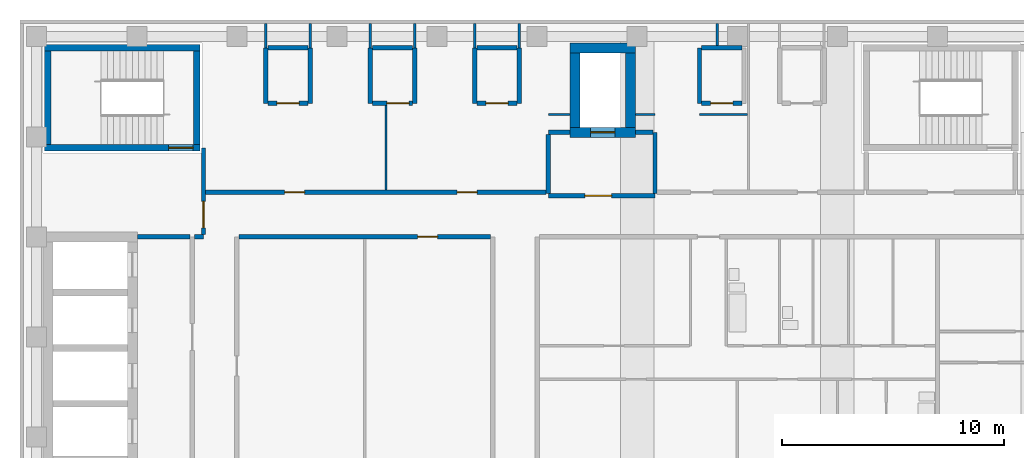
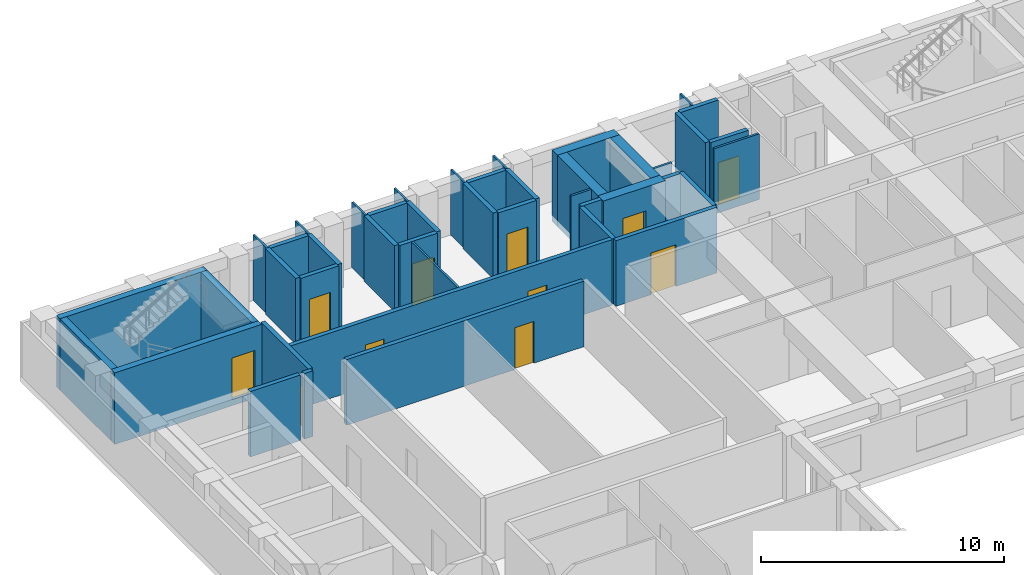
# One storey, part 5 of 11: 44 walls, 11 doors, 11 openings.
"""IFC4 building model written with IfcOpenShell, lengths in metres."""

from ifc_helpers import new_model, si_unit, direction, frame, frame_2d, origin, place, context, subcontext, project, spatial, rectangle, extrude, material, layer, layer_set, type_object, element, fill, save


model = new_model("IFC4")

# Units and contexts
model_context = context("Model", 3, precision=1e-05, world=origin(), true_north=direction((0.0, 1.0)))
body_context = subcontext(model_context, "Body", "Model", "MODEL_VIEW")
ifc_project = project(units=[si_unit("LENGTHUNIT", "METRE"), si_unit("AREAUNIT", "SQUARE_METRE"), si_unit("VOLUMEUNIT", "CUBIC_METRE"), si_unit("PLANEANGLEUNIT", "RADIAN"), si_unit("MASSUNIT", "GRAM", prefix="KILO")], contexts=[model_context])

# Site, building, storey
site_placement = place(None, origin())
site = spatial("IfcSite", under=ifc_project, at=site_placement, CompositionType="ELEMENT")
building_placement = place(site_placement, origin())
building = spatial("IfcBuilding", under=site, at=building_placement, Name="Firuza Court", CompositionType="ELEMENT")
storey_placement = place(building_placement, frame((0.0, 0.0, 179.0)))
storey = spatial("IfcBuildingStorey", under=building, at=storey_placement, Name="L45", CompositionType="ELEMENT", Elevation=179.0)

# Wall, opening, door
ifc_material_1 = material(Name="Concrete C50/60", Category="concrete")
ifc_layer_1 = layer(ifc_material_1, 0.300048828125)
ifc_layer_set_1 = layer_set([ifc_layer_1], Name="Concrete C50/60")
wall_type_1 = type_object("IfcWallType", Name="Core wall 300 C50/60", PredefinedType="SHEAR", material=ifc_layer_set_1)
wall_1_placement = place(storey_placement, frame((0.35009765625, 53.5, -0.300048828125), z_axis=(0.0, 0.0, 1.0), x_axis=(1.0, 0.0, 0.0)))
wall_1 = element("IfcWall", 1, at=wall_1_placement, inside=storey, type_object=wall_type_1, Name="Core wall stair L45", PredefinedType="SHEAR", context=body_context, shape_type="SweptSolid", body=[
    extrude(rectangle(XDim=7.0, YDim=0.300048828125, at=frame_2d((3.5, 0.0))), origin(), (0.0, 0.0, 1.0), 3.60009765625),
])
opening_1_placement = place(wall_1_placement, frame((5.580078125, 0.0, 0.300048828125)))
opening_1 = element("IfcOpeningElement", 2, at=opening_1_placement, cuts=wall_1, Name="Opening D45015", PredefinedType="OPENING", context=body_context, shape_type="SweptSolid", body=[
    extrude(rectangle(XDim=1.10009765625, YDim=2.10009765625, at=frame_2d((0.550048828125, 1.050048828125))), frame((0.0, 0.162109375, 0.0), z_axis=(0.0, -1.0, 0.0), x_axis=(1.0, 0.0, 0.0)), (0.0, 0.0, 1.0), 0.323974609375),
])
ifc_material_2 = material(Name="Timber door leaf in hardwood frame", Category="wood")
door_type_1 = type_object("IfcDoorType", Name="Stair door 1100", OperationType="SINGLE_SWING_LEFT", PredefinedType="DOOR", material=ifc_material_2)
door_1_placement = place(opening_1_placement, origin())
door_1 = element("IfcDoor", 3, at=door_1_placement, inside=storey, type_object=door_type_1, Name="Stair door S3", OperationType="SINGLE_SWING_RIGHT", OverallHeight=2.10009765625, OverallWidth=1.10009765625, PredefinedType="DOOR", context=body_context, shape_type="SweptSolid", body=[
    extrude(rectangle(XDim=1.10009765625, YDim=2.10009765625, at=frame_2d((0.550048828125, 1.050048828125))), frame((0.0, 0.02490234375, 0.0), z_axis=(0.0, -1.0, 0.0), x_axis=(1.0, 0.0, 0.0)), (0.0, 0.0, 1.0), 0.050048828125),
])
fill(opening_1, door_1)

# Walls
wall_2_placement = place(storey_placement, frame((0.35009765625, 58.0, -0.300048828125), z_axis=(0.0, 0.0, 1.0), x_axis=(1.0, 0.0, 0.0)))
element("IfcWall", 4, at=wall_2_placement, inside=storey, type_object=wall_type_1, Name="Core wall stair L45", PredefinedType="SHEAR", context=body_context, shape_type="SweptSolid", body=[
    extrude(rectangle(XDim=7.0, YDim=0.300048828125, at=frame_2d((3.5, 0.0))), origin(), (0.0, 0.0, 1.0), 3.60009765625),
])
for number, where, z_axis, x_axis, name in (
    (5, (0.5, 53.64990234375, -0.300048828125), (0.0, 0.0, 1.0), (0.0, 1.0, 0.0), "Core wall stair L45"),
    (6, (7.199951171875, 53.64990234375, -0.300048828125), (0.0, 0.0, 1.0), (0.0, 1.0, 0.0), "Core wall stair L45"),
):
    element("IfcWall", number, at=place(storey_placement, frame(where, z_axis=z_axis, x_axis=x_axis)), inside=storey, type_object=wall_type_1, Name=name, PredefinedType="SHEAR", context=body_context, shape_type="SweptSolid", body=[
        extrude(rectangle(XDim=4.2001953125, YDim=0.300048828125, at=frame_2d((2.10009765625, 0.0))), origin(), (0.0, 0.0, 1.0), 3.60009765625),
    ])

# Wall, opening, door
ifc_layer_2 = layer(ifc_material_1, 0.449951171875)
ifc_layer_set_2 = layer_set([ifc_layer_2], Name="Concrete C50/60")
wall_type_2 = type_object("IfcWallType", Name="Core wall 450 C50/60", PredefinedType="SHEAR", material=ifc_layer_set_2)
wall_3_placement = place(storey_placement, frame((23.97509765625, 54.199951171875, -0.300048828125), z_axis=(0.0, 0.0, 1.0), x_axis=(1.0, 0.0, 0.0)))
wall_3 = element("IfcWall", 7, at=wall_3_placement, inside=storey, type_object=wall_type_2, Name="Core wall lift shaft L45", PredefinedType="SHEAR", context=body_context, shape_type="SweptSolid", body=[
    extrude(rectangle(XDim=2.949951171875, YDim=0.449951171875, at=frame_2d((1.47509765625, 0.0))), origin(), (0.0, 0.0, 1.0), 3.60009765625),
])
opening_2_placement = place(wall_3_placement, frame((0.925048828125, 0.0, 0.300048828125)))
opening_2 = element("IfcOpeningElement", 8, at=opening_2_placement, cuts=wall_3, Name="Opening LD-FL3-45", PredefinedType="OPENING", context=body_context, shape_type="SweptSolid", body=[
    extrude(rectangle(XDim=1.10009765625, YDim=2.10009765625, at=frame_2d((0.550048828125, 1.050048828125))), frame((0.0, 0.23681640625, 0.0), z_axis=(0.0, -1.0, 0.0), x_axis=(1.0, 0.0, 0.0)), (0.0, 0.0, 1.0), 0.473876953125),
])
ifc_material_3 = material(Name="Stainless steel 1.4301 door leaf", Category="steel")
door_type_2 = type_object("IfcDoorType", Name="Lift landing door 1100", OperationType="SLIDING_TO_LEFT", PredefinedType="DOOR", material=ifc_material_3)
door_2_placement = place(opening_2_placement, origin())
door_2 = element("IfcDoor", 9, at=door_2_placement, inside=storey, type_object=door_type_2, Name="Landing door FL3", OperationType="SLIDING_TO_LEFT", OverallHeight=2.10009765625, OverallWidth=1.10009765625, PredefinedType="DOOR", context=body_context, shape_type="SweptSolid", body=[
    extrude(rectangle(XDim=1.10009765625, YDim=2.10009765625, at=frame_2d((0.550048828125, 1.050048828125))), frame((0.0, 0.02490234375, 0.0), z_axis=(0.0, -1.0, 0.0), x_axis=(1.0, 0.0, 0.0)), (0.0, 0.0, 1.0), 0.050048828125),
])
fill(opening_2, door_2)

# Walls
wall_4_placement = place(storey_placement, frame((23.97509765625, 58.0, -0.300048828125), z_axis=(0.0, 0.0, 1.0), x_axis=(1.0, 0.0, 0.0)))
element("IfcWall", 10, at=wall_4_placement, inside=storey, type_object=wall_type_2, Name="Core wall lift shaft L45", PredefinedType="SHEAR", context=body_context, shape_type="SweptSolid", body=[
    extrude(rectangle(XDim=2.949951171875, YDim=0.449951171875, at=frame_2d((1.47509765625, 0.0))), origin(), (0.0, 0.0, 1.0), 3.60009765625),
])
for number, where, z_axis, x_axis, name in (
    (11, (24.199951171875, 54.425048828125, -0.300048828125), (0.0, 0.0, 1.0), (0.0, 1.0, 0.0), "Core wall lift shaft L45"),
    (12, (26.699951171875, 54.425048828125, -0.300048828125), (0.0, 0.0, 1.0), (0.0, 1.0, 0.0), "Core wall lift shaft L45"),
):
    element("IfcWall", number, at=place(storey_placement, frame(where, z_axis=z_axis, x_axis=x_axis)), inside=storey, type_object=wall_type_2, Name=name, PredefinedType="SHEAR", context=body_context, shape_type="SweptSolid", body=[
        extrude(rectangle(XDim=3.349853515625, YDim=0.449951171875, at=frame_2d((1.6748046875, 0.0))), origin(), (0.0, 0.0, 1.0), 3.60009765625),
    ])

# Wall, opening, door
ifc_material_4 = material(Name="Blockwork, plastered both sides", Category="masonry")
ifc_layer_3 = layer(ifc_material_4, 0.199951171875)
ifc_layer_set_3 = layer_set([ifc_layer_3], Name="Blockwork, plastered both sides")
wall_type_3 = type_object("IfcWallType", Name="Corridor wall 200", PredefinedType="PARTITIONING", material=ifc_layer_set_3)
wall_5_placement = place(storey_placement, frame((9.10009765625, 49.5, 0.0), z_axis=(0.0, 0.0, 1.0), x_axis=(1.0, 0.0, 0.0)))
wall_5 = element("IfcWall", 13, at=wall_5_placement, inside=storey, type_object=wall_type_3, Name="Corridor wall 200 L45", PredefinedType="PARTITIONING", context=body_context, shape_type="SweptSolid", body=[
    extrude(rectangle(XDim=11.2998046875, YDim=0.199951171875, at=frame_2d((5.64990234375, 0.0))), origin(), (0.0, 0.0, 1.0), 3.300048828125),
])
opening_3_placement = place(wall_5_placement, frame((8.02490234375, 0.0, 0.0)))
opening_3 = element("IfcOpeningElement", 14, at=opening_3_placement, cuts=wall_5, Name="Opening D45059", PredefinedType="OPENING", context=body_context, shape_type="SweptSolid", body=[
    extrude(rectangle(XDim=0.89990234375, YDim=2.10009765625, at=frame_2d((0.449951171875, 1.050048828125))), frame((0.0, 0.11181640625, 0.0), z_axis=(0.0, -1.0, 0.0), x_axis=(1.0, 0.0, 0.0)), (0.0, 0.0, 1.0), 0.223876953125),
])
ifc_material_5 = material(Name="Timber door leaf in hardwood frame", Category="wood")
door_type_3 = type_object("IfcDoorType", Name="Room door 900 EI 30", OperationType="SINGLE_SWING_LEFT", PredefinedType="DOOR", material=ifc_material_5)
door_3_placement = place(opening_3_placement, origin())
door_3 = element("IfcDoor", 15, at=door_3_placement, inside=storey, type_object=door_type_3, Name="Residents' club lounge door", OperationType="SINGLE_SWING_LEFT", OverallHeight=2.10009765625, OverallWidth=0.89990234375, PredefinedType="DOOR", context=body_context, shape_type="SweptSolid", body=[
    extrude(rectangle(XDim=0.89990234375, YDim=2.10009765625, at=frame_2d((0.449951171875, 1.050048828125))), frame((0.0, 0.02490234375, 0.0), z_axis=(0.0, -1.0, 0.0), x_axis=(1.0, 0.0, 0.0)), (0.0, 0.0, 1.0), 0.050048828125),
])
fill(opening_3, door_3)

# Wall, openings, doors
wall_6_placement = place(storey_placement, frame((7.60009765625, 51.5, 0.0), z_axis=(0.0, 0.0, 1.0), x_axis=(1.0, 0.0, 0.0)))
wall_6 = element("IfcWall", 16, at=wall_6_placement, inside=storey, type_object=wall_type_3, Name="Corridor wall 200 L45", PredefinedType="PARTITIONING", context=body_context, shape_type="SweptSolid", body=[
    extrude(rectangle(XDim=15.2998046875, YDim=0.199951171875, at=frame_2d((7.64990234375, 0.0))), origin(), (0.0, 0.0, 1.0), 3.300048828125),
])
opening_4_placement = place(wall_6_placement, frame((3.550048828125, 0.0, 0.0)))
opening_4 = element("IfcOpeningElement", 17, at=opening_4_placement, cuts=wall_6, Name="Opening D45063", PredefinedType="OPENING", context=body_context, shape_type="SweptSolid", body=[
    extrude(rectangle(XDim=0.89990234375, YDim=2.10009765625, at=frame_2d((0.449951171875, 1.050048828125))), frame((0.0, 0.11181640625, 0.0), z_axis=(0.0, -1.0, 0.0), x_axis=(1.0, 0.0, 0.0)), (0.0, 0.0, 1.0), 0.223876953125),
])
opening_5_placement = place(wall_6_placement, frame((11.300048828125, 0.0, 0.0)))
opening_5 = element("IfcOpeningElement", 18, at=opening_5_placement, cuts=wall_6, Name="Opening D45064", PredefinedType="OPENING", context=body_context, shape_type="SweptSolid", body=[
    extrude(rectangle(XDim=0.89990234375, YDim=2.10009765625, at=frame_2d((0.449951171875, 1.050048828125))), frame((0.0, 0.11181640625, 0.0), z_axis=(0.0, -1.0, 0.0), x_axis=(1.0, 0.0, 0.0)), (0.0, 0.0, 1.0), 0.223876953125),
])
door_4_placement = place(opening_4_placement, origin())
door_4 = element("IfcDoor", 19, at=door_4_placement, inside=storey, type_object=door_type_3, Name="Meeting room door", OperationType="SINGLE_SWING_LEFT", OverallHeight=2.10009765625, OverallWidth=0.89990234375, PredefinedType="DOOR", context=body_context, shape_type="SweptSolid", body=[
    extrude(rectangle(XDim=0.89990234375, YDim=2.10009765625, at=frame_2d((0.449951171875, 1.050048828125))), frame((0.0, 0.02490234375, 0.0), z_axis=(0.0, -1.0, 0.0), x_axis=(1.0, 0.0, 0.0)), (0.0, 0.0, 1.0), 0.050048828125),
])
fill(opening_4, door_4)
door_5_placement = place(opening_5_placement, origin())
door_5 = element("IfcDoor", 20, at=door_5_placement, inside=storey, type_object=door_type_3, Name="Meeting room door", OperationType="SINGLE_SWING_LEFT", OverallHeight=2.10009765625, OverallWidth=0.89990234375, PredefinedType="DOOR", context=body_context, shape_type="SweptSolid", body=[
    extrude(rectangle(XDim=0.89990234375, YDim=2.10009765625, at=frame_2d((0.449951171875, 1.050048828125))), frame((0.0, 0.02490234375, 0.0), z_axis=(0.0, -1.0, 0.0), x_axis=(1.0, 0.0, 0.0)), (0.0, 0.0, 1.0), 0.050048828125),
])
fill(opening_5, door_5)

# Walls
ifc_material_6 = material(Name="Timber stud partition, plasterboard both sides", Category="wood")
ifc_layer_4 = layer(ifc_material_6, 0.10009765625)
ifc_layer_set_4 = layer_set([ifc_layer_4], Name="Timber stud partition, plasterboard both sides")
wall_type_4 = type_object("IfcWallType", Name="Partition wall 100", PredefinedType="PARTITIONING", material=ifc_layer_set_4)
wall_7_placement = place(storey_placement, frame((15.699951171875, 51.60009765625, 0.0), z_axis=(0.0, 0.0, 1.0), x_axis=(0.0, 1.0, 0.0)))
element("IfcWall", 21, at=wall_7_placement, inside=storey, type_object=wall_type_4, Name="Partition wall 100 L45", PredefinedType="PARTITIONING", context=body_context, shape_type="SweptSolid", body=[
    extrude(rectangle(XDim=3.7998046875, YDim=0.10009765625, at=frame_2d((1.89990234375, 0.0))), origin(), (0.0, 0.0, 1.0), 3.300048828125),
])
wall_8_placement = place(storey_placement, frame((23.0, 55.0, 0.0), z_axis=(0.0, 0.0, 1.0), x_axis=(1.0, 0.0, 0.0)))
element("IfcWall", 22, at=wall_8_placement, inside=storey, type_object=wall_type_4, Name="Partition wall 100 L45", PredefinedType="PARTITIONING", context=body_context, shape_type="SweptSolid", body=[
    extrude(rectangle(XDim=0.97509765625, YDim=0.10009765625, at=frame_2d((0.487548828125, 0.0))), origin(), (0.0, 0.0, 1.0), 3.300048828125),
])
wall_9_placement = place(storey_placement, frame((26.925048828125, 55.0, 0.0), z_axis=(0.0, 0.0, 1.0), x_axis=(1.0, 0.0, 0.0)))
element("IfcWall", 23, at=wall_9_placement, inside=storey, type_object=wall_type_4, Name="Partition wall 100 L45", PredefinedType="PARTITIONING", context=body_context, shape_type="SweptSolid", body=[
    extrude(rectangle(XDim=0.875, YDim=0.10009765625, at=frame_2d((0.4375, 0.0))), origin(), (0.0, 0.0, 1.0), 3.300048828125),
])
wall_10_placement = place(storey_placement, frame((29.800048828125, 55.0, 0.0), z_axis=(0.0, 0.0, 1.0), x_axis=(1.0, 0.0, 0.0)))
element("IfcWall", 24, at=wall_10_placement, inside=storey, type_object=wall_type_4, Name="Partition wall 100 L45", PredefinedType="PARTITIONING", context=body_context, shape_type="SweptSolid", body=[
    extrude(rectangle(XDim=2.14990234375, YDim=0.10009765625, at=frame_2d((1.074951171875, 0.0))), origin(), (0.0, 0.0, 1.0), 3.300048828125),
])
for number, where, z_axis, x_axis, name in (
    (25, (10.300048828125, 58.0, 0.0), (0.0, 0.0, 1.0), (0.0, 1.0, 0.0), "Partition wall 100 L45"),
    (26, (12.300048828125, 58.0, 0.0), (0.0, 0.0, 1.0), (0.0, 1.0, 0.0), "Partition wall 100 L45"),
    (27, (15.0, 58.0, 0.0), (0.0, 0.0, 1.0), (0.0, 1.0, 0.0), "Partition wall 100 L45"),
    (28, (17.0, 58.0, 0.0), (0.0, 0.0, 1.0), (0.0, 1.0, 0.0), "Partition wall 100 L45"),
    (29, (19.699951171875, 58.0, 0.0), (0.0, 0.0, 1.0), (0.0, 1.0, 0.0), "Partition wall 100 L45"),
    (30, (21.699951171875, 58.0, 0.0), (0.0, 0.0, 1.0), (0.0, 1.0, 0.0), "Partition wall 100 L45"),
):
    element("IfcWall", number, at=place(storey_placement, frame(where, z_axis=z_axis, x_axis=x_axis)), inside=storey, type_object=wall_type_4, Name=name, PredefinedType="PARTITIONING", context=body_context, shape_type="SweptSolid", body=[
        extrude(rectangle(XDim=1.10009765625, YDim=0.10009765625, at=frame_2d((0.550048828125, 0.0))), origin(), (0.0, 0.0, 1.0), 3.300048828125),
    ])
wall_11_placement = place(storey_placement, frame((30.60009765625, 58.10009765625, 0.0), z_axis=(0.0, 0.0, 1.0), x_axis=(0.0, 1.0, 0.0)))
element("IfcWall", 31, at=wall_11_placement, inside=storey, type_object=wall_type_4, Name="Partition wall 100 L45", PredefinedType="PARTITIONING", context=body_context, shape_type="SweptSolid", body=[
    extrude(rectangle(XDim=1.0, YDim=0.10009765625, at=frame_2d((0.5, 0.0))), origin(), (0.0, 0.0, 1.0), 3.300048828125),
])
ifc_material_7 = material(Name="Blockwork, fire-rated", Category="masonry")
ifc_layer_5 = layer(ifc_material_7, 0.199951171875)
ifc_layer_set_5 = layer_set([ifc_layer_5], Name="Blockwork, fire-rated")
wall_type_5 = type_object("IfcWallType", Name="Plant room wall 200", PredefinedType="PARTITIONING", material=ifc_layer_set_5)
wall_12_placement = place(storey_placement, frame((10.300048828125, 55.5, 0.0), z_axis=(0.0, 0.0, 1.0), x_axis=(0.0, 1.0, 0.0)))
element("IfcWall", 32, at=wall_12_placement, inside=storey, type_object=wall_type_5, Name="Plant room wall 200 L45", PredefinedType="PARTITIONING", context=body_context, shape_type="SweptSolid", body=[
    extrude(rectangle(XDim=2.5, YDim=0.199951171875, at=frame_2d((1.25, 0.0))), origin(), (0.0, 0.0, 1.0), 3.300048828125),
])

# Wall, opening, door
wall_13_placement = place(storey_placement, frame((10.39990234375, 55.5, 0.0), z_axis=(0.0, 0.0, 1.0), x_axis=(1.0, 0.0, 0.0)))
wall_13 = element("IfcWall", 33, at=wall_13_placement, inside=storey, type_object=wall_type_5, Name="Plant room wall 200 L45", PredefinedType="PARTITIONING", context=body_context, shape_type="SweptSolid", body=[
    extrude(rectangle(XDim=1.800048828125, YDim=0.199951171875, at=frame_2d((0.89990234375, 0.0))), origin(), (0.0, 0.0, 1.0), 3.300048828125),
])
opening_6_placement = place(wall_13_placement, frame((0.39990234375, 0.0, 0.0)))
opening_6 = element("IfcOpeningElement", 34, at=opening_6_placement, cuts=wall_13, Name="Opening D45071", PredefinedType="OPENING", context=body_context, shape_type="SweptSolid", body=[
    extrude(rectangle(XDim=1.0, YDim=2.10009765625, at=frame_2d((0.5, 1.050048828125))), frame((0.0, 0.11181640625, 0.0), z_axis=(0.0, -1.0, 0.0), x_axis=(1.0, 0.0, 0.0)), (0.0, 0.0, 1.0), 0.223876953125),
])
ifc_material_8 = material(Name="Timber door leaf in hardwood frame", Category="wood")
door_type_4 = type_object("IfcDoorType", Name="Riser door 1000", OperationType="SINGLE_SWING_LEFT", PredefinedType="DOOR", material=ifc_material_8)
door_6_placement = place(opening_6_placement, origin())
door_6 = element("IfcDoor", 35, at=door_6_placement, inside=storey, type_object=door_type_4, Name="Comms riser door", OperationType="SINGLE_SWING_LEFT", OverallHeight=2.10009765625, OverallWidth=1.0, PredefinedType="DOOR", context=body_context, shape_type="SweptSolid", body=[
    extrude(rectangle(XDim=1.0, YDim=2.10009765625, at=frame_2d((0.5, 1.050048828125))), frame((0.0, 0.02490234375, 0.0), z_axis=(0.0, -1.0, 0.0), x_axis=(1.0, 0.0, 0.0)), (0.0, 0.0, 1.0), 0.050048828125),
])
fill(opening_6, door_6)

# Walls
for number, where, z_axis, x_axis, name in (
    (36, (12.300048828125, 55.5, 0.0), (0.0, 0.0, 1.0), (0.0, 1.0, 0.0), "Plant room wall 200 L45"),
    (37, (15.0, 55.5, 0.0), (0.0, 0.0, 1.0), (0.0, 1.0, 0.0), "Plant room wall 200 L45"),
):
    element("IfcWall", number, at=place(storey_placement, frame(where, z_axis=z_axis, x_axis=x_axis)), inside=storey, type_object=wall_type_5, Name=name, PredefinedType="PARTITIONING", context=body_context, shape_type="SweptSolid", body=[
        extrude(rectangle(XDim=2.5, YDim=0.199951171875, at=frame_2d((1.25, 0.0))), origin(), (0.0, 0.0, 1.0), 3.300048828125),
    ])

# Wall, opening, door
wall_14_placement = place(storey_placement, frame((15.10009765625, 55.5, 0.0), z_axis=(0.0, 0.0, 1.0), x_axis=(1.0, 0.0, 0.0)))
wall_14 = element("IfcWall", 38, at=wall_14_placement, inside=storey, type_object=wall_type_5, Name="Plant room wall 200 L45", PredefinedType="PARTITIONING", context=body_context, shape_type="SweptSolid", body=[
    extrude(rectangle(XDim=1.7998046875, YDim=0.199951171875, at=frame_2d((0.89990234375, 0.0))), origin(), (0.0, 0.0, 1.0), 3.300048828125),
])
opening_7_placement = place(wall_14_placement, frame((0.64990234375, 0.0, 0.0)))
opening_7 = element("IfcOpeningElement", 39, at=opening_7_placement, cuts=wall_14, Name="Opening D45072", PredefinedType="OPENING", context=body_context, shape_type="SweptSolid", body=[
    extrude(rectangle(XDim=1.0, YDim=2.10009765625, at=frame_2d((0.5, 1.050048828125))), frame((0.0, 0.11181640625, 0.0), z_axis=(0.0, -1.0, 0.0), x_axis=(1.0, 0.0, 0.0)), (0.0, 0.0, 1.0), 0.223876953125),
])
door_7_placement = place(opening_7_placement, origin())
door_7 = element("IfcDoor", 40, at=door_7_placement, inside=storey, type_object=door_type_4, Name="Electrical riser door", OperationType="SINGLE_SWING_RIGHT", OverallHeight=2.10009765625, OverallWidth=1.0, PredefinedType="DOOR", context=body_context, shape_type="SweptSolid", body=[
    extrude(rectangle(XDim=1.0, YDim=2.10009765625, at=frame_2d((0.5, 1.050048828125))), frame((0.0, 0.02490234375, 0.0), z_axis=(0.0, -1.0, 0.0), x_axis=(1.0, 0.0, 0.0)), (0.0, 0.0, 1.0), 0.050048828125),
])
fill(opening_7, door_7)

# Walls
for number, where, z_axis, x_axis, name in (
    (41, (17.0, 55.5, 0.0), (0.0, 0.0, 1.0), (0.0, 1.0, 0.0), "Plant room wall 200 L45"),
    (42, (19.699951171875, 55.5, 0.0), (0.0, 0.0, 1.0), (0.0, 1.0, 0.0), "Plant room wall 200 L45"),
):
    element("IfcWall", number, at=place(storey_placement, frame(where, z_axis=z_axis, x_axis=x_axis)), inside=storey, type_object=wall_type_5, Name=name, PredefinedType="PARTITIONING", context=body_context, shape_type="SweptSolid", body=[
        extrude(rectangle(XDim=2.5, YDim=0.199951171875, at=frame_2d((1.25, 0.0))), origin(), (0.0, 0.0, 1.0), 3.300048828125),
    ])

# Wall, opening, door
wall_15_placement = place(storey_placement, frame((19.800048828125, 55.5, 0.0), z_axis=(0.0, 0.0, 1.0), x_axis=(1.0, 0.0, 0.0)))
wall_15 = element("IfcWall", 43, at=wall_15_placement, inside=storey, type_object=wall_type_5, Name="Plant room wall 200 L45", PredefinedType="PARTITIONING", context=body_context, shape_type="SweptSolid", body=[
    extrude(rectangle(XDim=1.800048828125, YDim=0.199951171875, at=frame_2d((0.89990234375, 0.0))), origin(), (0.0, 0.0, 1.0), 3.300048828125),
])
opening_8_placement = place(wall_15_placement, frame((0.39990234375, 0.0, 0.0)))
opening_8 = element("IfcOpeningElement", 44, at=opening_8_placement, cuts=wall_15, Name="Opening D45073", PredefinedType="OPENING", context=body_context, shape_type="SweptSolid", body=[
    extrude(rectangle(XDim=1.0, YDim=2.10009765625, at=frame_2d((0.5, 1.050048828125))), frame((0.0, 0.11181640625, 0.0), z_axis=(0.0, -1.0, 0.0), x_axis=(1.0, 0.0, 0.0)), (0.0, 0.0, 1.0), 0.223876953125),
])
door_8_placement = place(opening_8_placement, origin())
door_8 = element("IfcDoor", 45, at=door_8_placement, inside=storey, type_object=door_type_4, Name="Duct riser door", OperationType="SINGLE_SWING_LEFT", OverallHeight=2.10009765625, OverallWidth=1.0, PredefinedType="DOOR", context=body_context, shape_type="SweptSolid", body=[
    extrude(rectangle(XDim=1.0, YDim=2.10009765625, at=frame_2d((0.5, 1.050048828125))), frame((0.0, 0.02490234375, 0.0), z_axis=(0.0, -1.0, 0.0), x_axis=(1.0, 0.0, 0.0)), (0.0, 0.0, 1.0), 0.050048828125),
])
fill(opening_8, door_8)

# Walls
for number, where, z_axis, x_axis, name in (
    (46, (21.699951171875, 55.5, 0.0), (0.0, 0.0, 1.0), (0.0, 1.0, 0.0), "Plant room wall 200 L45"),
    (47, (29.800048828125, 55.5, 0.0), (0.0, 0.0, 1.0), (0.0, 1.0, 0.0), "Plant room wall 200 L45"),
):
    element("IfcWall", number, at=place(storey_placement, frame(where, z_axis=z_axis, x_axis=x_axis)), inside=storey, type_object=wall_type_5, Name=name, PredefinedType="PARTITIONING", context=body_context, shape_type="SweptSolid", body=[
        extrude(rectangle(XDim=2.5, YDim=0.199951171875, at=frame_2d((1.25, 0.0))), origin(), (0.0, 0.0, 1.0), 3.300048828125),
    ])

# Wall, opening, door
wall_16_placement = place(storey_placement, frame((29.89990234375, 55.5, 0.0), z_axis=(0.0, 0.0, 1.0), x_axis=(1.0, 0.0, 0.0)))
wall_16 = element("IfcWall", 48, at=wall_16_placement, inside=storey, type_object=wall_type_5, Name="Plant room wall 200 L45", PredefinedType="PARTITIONING", context=body_context, shape_type="SweptSolid", body=[
    extrude(rectangle(XDim=1.800048828125, YDim=0.199951171875, at=frame_2d((0.89990234375, 0.0))), origin(), (0.0, 0.0, 1.0), 3.300048828125),
])
opening_9_placement = place(wall_16_placement, frame((0.39990234375, 0.0, 0.0)))
opening_9 = element("IfcOpeningElement", 49, at=opening_9_placement, cuts=wall_16, Name="Opening D45074", PredefinedType="OPENING", context=body_context, shape_type="SweptSolid", body=[
    extrude(rectangle(XDim=1.0, YDim=2.10009765625, at=frame_2d((0.5, 1.050048828125))), frame((0.0, 0.11181640625, 0.0), z_axis=(0.0, -1.0, 0.0), x_axis=(1.0, 0.0, 0.0)), (0.0, 0.0, 1.0), 0.223876953125),
])
door_9_placement = place(opening_9_placement, origin())
door_9 = element("IfcDoor", 50, at=door_9_placement, inside=storey, type_object=door_type_4, Name="Electrical riser door", OperationType="SINGLE_SWING_LEFT", OverallHeight=2.10009765625, OverallWidth=1.0, PredefinedType="DOOR", context=body_context, shape_type="SweptSolid", body=[
    extrude(rectangle(XDim=1.0, YDim=2.10009765625, at=frame_2d((0.5, 1.050048828125))), frame((0.0, 0.02490234375, 0.0), z_axis=(0.0, -1.0, 0.0), x_axis=(1.0, 0.0, 0.0)), (0.0, 0.0, 1.0), 0.050048828125),
])
fill(opening_9, door_9)

# Walls
wall_17_placement = place(storey_placement, frame((10.39990234375, 58.0, 0.0), z_axis=(0.0, 0.0, 1.0), x_axis=(1.0, 0.0, 0.0)))
element("IfcWall", 51, at=wall_17_placement, inside=storey, type_object=wall_type_5, Name="Plant room wall 200 L45", PredefinedType="PARTITIONING", context=body_context, shape_type="SweptSolid", body=[
    extrude(rectangle(XDim=1.800048828125, YDim=0.199951171875, at=frame_2d((0.89990234375, 0.0))), origin(), (0.0, 0.0, 1.0), 3.300048828125),
])
wall_18_placement = place(storey_placement, frame((15.10009765625, 58.0, 0.0), z_axis=(0.0, 0.0, 1.0), x_axis=(1.0, 0.0, 0.0)))
element("IfcWall", 52, at=wall_18_placement, inside=storey, type_object=wall_type_5, Name="Plant room wall 200 L45", PredefinedType="PARTITIONING", context=body_context, shape_type="SweptSolid", body=[
    extrude(rectangle(XDim=1.7998046875, YDim=0.199951171875, at=frame_2d((0.89990234375, 0.0))), origin(), (0.0, 0.0, 1.0), 3.300048828125),
])
for number, where, z_axis, x_axis, name in (
    (53, (19.800048828125, 58.0, 0.0), (0.0, 0.0, 1.0), (1.0, 0.0, 0.0), "Plant room wall 200 L45"),
    (54, (29.89990234375, 58.0, 0.0), (0.0, 0.0, 1.0), (1.0, 0.0, 0.0), "Plant room wall 200 L45"),
):
    element("IfcWall", number, at=place(storey_placement, frame(where, z_axis=z_axis, x_axis=x_axis)), inside=storey, type_object=wall_type_5, Name=name, PredefinedType="PARTITIONING", context=body_context, shape_type="SweptSolid", body=[
        extrude(rectangle(XDim=1.800048828125, YDim=0.199951171875, at=frame_2d((0.89990234375, 0.0))), origin(), (0.0, 0.0, 1.0), 3.300048828125),
    ])
ifc_layer_6 = layer(ifc_material_7, 0.199951171875)
ifc_layer_set_6 = layer_set([ifc_layer_6], Name="Blockwork, fire-rated")
wall_type_6 = type_object("IfcWallType", Name="Shaft wall 200", PredefinedType="PARTITIONING", material=ifc_layer_set_6)
wall_19_placement = place(storey_placement, frame((4.52490234375, 49.5, 0.0), z_axis=(0.0, 0.0, 1.0), x_axis=(1.0, 0.0, 0.0)))
element("IfcWall", 55, at=wall_19_placement, inside=storey, type_object=wall_type_6, Name="Shaft wall 200 L45", PredefinedType="PARTITIONING", context=body_context, shape_type="SweptSolid", body=[
    extrude(rectangle(XDim=2.375, YDim=0.199951171875, at=frame_2d((1.1875, 0.0))), origin(), (0.0, 0.0, 1.0), 3.300048828125),
])

# Wall, opening, door
wall_20_placement = place(storey_placement, frame((23.0, 51.35009765625, 0.0), z_axis=(0.0, 0.0, 1.0), x_axis=(1.0, 0.0, 0.0)))
wall_20 = element("IfcWall", 56, at=wall_20_placement, inside=storey, type_object=wall_type_6, Name="Shaft wall 200 L45", PredefinedType="PARTITIONING", context=body_context, shape_type="SweptSolid", body=[
    extrude(rectangle(XDim=4.800048828125, YDim=0.199951171875, at=frame_2d((2.39990234375, 0.0))), origin(), (0.0, 0.0, 1.0), 3.300048828125),
])
opening_10_placement = place(wall_20_placement, frame((1.64990234375, 0.0, 0.0)))
opening_10 = element("IfcOpeningElement", 57, at=opening_10_placement, cuts=wall_20, Name="Opening D45003", PredefinedType="OPENING", context=body_context, shape_type="SweptSolid", body=[
    extrude(rectangle(XDim=1.199951171875, YDim=2.10009765625, at=frame_2d((0.60009765625, 1.050048828125))), frame((0.0, 0.11181640625, 0.0), z_axis=(0.0, -1.0, 0.0), x_axis=(1.0, 0.0, 0.0)), (0.0, 0.0, 1.0), 0.223876953125),
])
ifc_material_9 = material(Name="Timber door leaf in hardwood frame", Category="wood")
door_type_5 = type_object("IfcDoorType", Name="Lobby door 1200", OperationType="SINGLE_SWING_LEFT", PredefinedType="DOOR", material=ifc_material_9)
door_10_placement = place(opening_10_placement, origin())
door_10 = element("IfcDoor", 58, at=door_10_placement, inside=storey, type_object=door_type_5, Name="Fire-fighting lobby door", OperationType="SINGLE_SWING_LEFT", OverallHeight=2.10009765625, OverallWidth=1.199951171875, PredefinedType="DOOR", context=body_context, shape_type="SweptSolid", body=[
    extrude(rectangle(XDim=1.199951171875, YDim=2.10009765625, at=frame_2d((0.60009765625, 1.050048828125))), frame((0.0, 0.02490234375, 0.0), z_axis=(0.0, -1.0, 0.0), x_axis=(1.0, 0.0, 0.0)), (0.0, 0.0, 1.0), 0.050048828125),
])
fill(opening_10, door_10)

# Walls
wall_21_placement = place(storey_placement, frame((27.800048828125, 51.449951171875, 0.0), z_axis=(0.0, 0.0, 1.0), x_axis=(0.0, 1.0, 0.0)))
element("IfcWall", 59, at=wall_21_placement, inside=storey, type_object=wall_type_6, Name="Shaft wall 200 L45", PredefinedType="PARTITIONING", context=body_context, shape_type="SweptSolid", body=[
    extrude(rectangle(XDim=2.75, YDim=0.199951171875, at=frame_2d((1.375, 0.0))), origin(), (0.0, 0.0, 1.0), 3.300048828125),
])
wall_22_placement = place(storey_placement, frame((23.0, 54.199951171875, 0.0), z_axis=(0.0, 0.0, 1.0), x_axis=(1.0, 0.0, 0.0)))
element("IfcWall", 60, at=wall_22_placement, inside=storey, type_object=wall_type_6, Name="Shaft wall 200 L45", PredefinedType="PARTITIONING", context=body_context, shape_type="SweptSolid", body=[
    extrude(rectangle(XDim=0.97509765625, YDim=0.199951171875, at=frame_2d((0.487548828125, 0.0))), origin(), (0.0, 0.0, 1.0), 3.300048828125),
])
wall_23_placement = place(storey_placement, frame((26.925048828125, 54.199951171875, 0.0), z_axis=(0.0, 0.0, 1.0), x_axis=(1.0, 0.0, 0.0)))
element("IfcWall", 61, at=wall_23_placement, inside=storey, type_object=wall_type_6, Name="Shaft wall 200 L45", PredefinedType="PARTITIONING", context=body_context, shape_type="SweptSolid", body=[
    extrude(rectangle(XDim=0.77490234375, YDim=0.199951171875, at=frame_2d((0.387451171875, 0.0))), origin(), (0.0, 0.0, 1.0), 3.300048828125),
])
wall_24_placement = place(storey_placement, frame((23.0, 51.449951171875, 0.0), z_axis=(0.0, 0.0, 1.0), x_axis=(0.0, 1.0, 0.0)))
element("IfcWall", 62, at=wall_24_placement, inside=storey, type_object=wall_type_6, Name="Shaft wall 200 L45", PredefinedType="PARTITIONING", context=body_context, shape_type="SweptSolid", body=[
    extrude(rectangle(XDim=2.650146484375, YDim=0.199951171875, at=frame_2d((1.3251953125, 0.0))), origin(), (0.0, 0.0, 1.0), 3.300048828125),
])
wall_25_placement = place(storey_placement, frame((7.10009765625, 49.5, 0.0), z_axis=(0.0, 0.0, 1.0), x_axis=(1.0, 0.0, 0.0)))
element("IfcWall", 63, at=wall_25_placement, inside=storey, type_object=wall_type_6, Name="Shaft wall 200 L45", PredefinedType="PARTITIONING", context=body_context, shape_type="SweptSolid", body=[
    extrude(rectangle(XDim=0.39990234375, YDim=0.199951171875, at=frame_2d((0.199951171875, 0.0))), origin(), (0.0, 0.0, 1.0), 3.300048828125),
])

# Wall, opening, door
wall_26_placement = place(storey_placement, frame((7.5, 49.60009765625, 0.0), z_axis=(0.0, 0.0, 1.0), x_axis=(0.0, 1.0, 0.0)))
wall_26 = element("IfcWall", 64, at=wall_26_placement, inside=storey, type_object=wall_type_6, Name="Shaft wall 200 L45", PredefinedType="PARTITIONING", context=body_context, shape_type="SweptSolid", body=[
    extrude(rectangle(XDim=3.89990234375, YDim=0.199951171875, at=frame_2d((1.949951171875, 0.0))), origin(), (0.0, 0.0, 1.0), 3.300048828125),
])
opening_11_placement = place(wall_26_placement, frame((0.300048828125, 0.0, 0.0)))
opening_11 = element("IfcOpeningElement", 65, at=opening_11_placement, cuts=wall_26, Name="Opening D45001", PredefinedType="OPENING", context=body_context, shape_type="SweptSolid", body=[
    extrude(rectangle(XDim=1.199951171875, YDim=2.10009765625, at=frame_2d((0.60009765625, 1.050048828125))), frame((0.0, 0.11181640625, 0.0), z_axis=(0.0, -1.0, 0.0), x_axis=(1.0, 0.0, 0.0)), (0.0, 0.0, 1.0), 0.223876953125),
])
door_11_placement = place(opening_11_placement, origin())
door_11 = element("IfcDoor", 66, at=door_11_placement, inside=storey, type_object=door_type_5, Name="Lobby door", OperationType="SINGLE_SWING_LEFT", OverallHeight=2.10009765625, OverallWidth=1.199951171875, PredefinedType="DOOR", context=body_context, shape_type="SweptSolid", body=[
    extrude(rectangle(XDim=1.199951171875, YDim=2.10009765625, at=frame_2d((0.60009765625, 1.050048828125))), frame((0.0, 0.02490234375, 0.0), z_axis=(0.0, -1.0, 0.0), x_axis=(1.0, 0.0, 0.0)), (0.0, 0.0, 1.0), 0.050048828125),
])
fill(opening_11, door_11)

save(model, "model.ifc")
